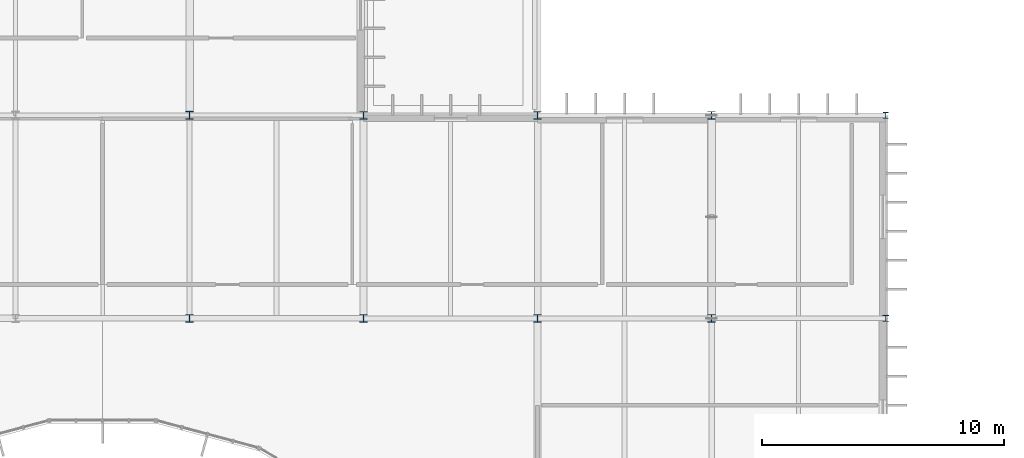
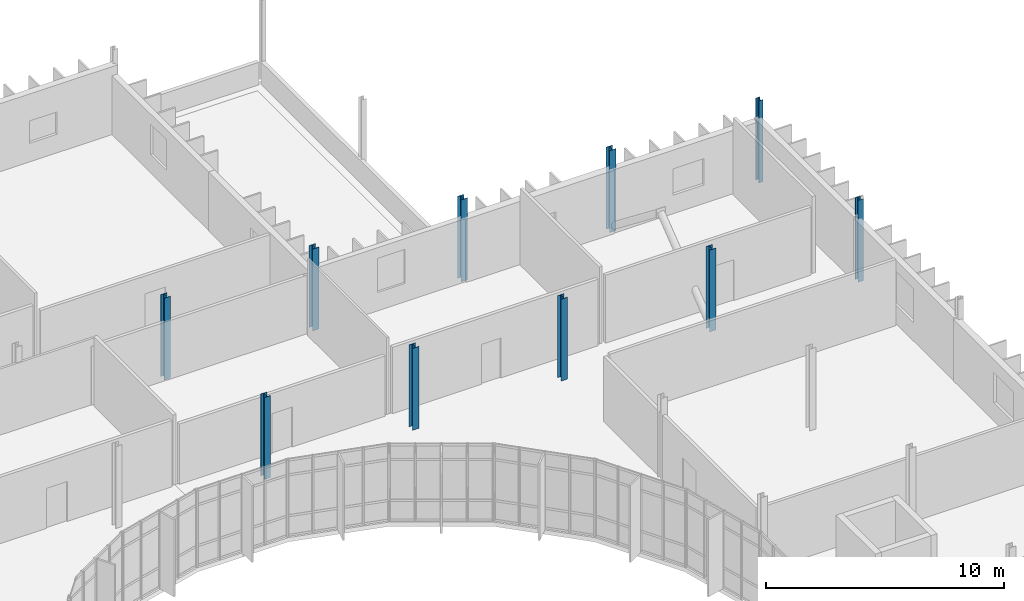
# One storey, part 24 of 119: 10 columns.
"""IFC4 building model written with IfcOpenShell, lengths in metres."""

from ifc_helpers import new_model, si_unit, direction, frame, origin, origin_2d, place, context, subcontext, project, spatial, i_section, extrude, material, material_profile, profile_set, type_object, element, save


model = new_model("IFC4")

# Units and contexts
model_context = context("Model", 3, precision=1e-05, world=origin(), true_north=direction((0.0, 1.0)))
body_context = subcontext(model_context, "Body", "Model", "MODEL_VIEW")
ifc_project = project(units=[si_unit("LENGTHUNIT", "METRE"), si_unit("AREAUNIT", "SQUARE_METRE"), si_unit("VOLUMEUNIT", "CUBIC_METRE"), si_unit("PLANEANGLEUNIT", "RADIAN"), si_unit("MASSUNIT", "GRAM", prefix="KILO")], contexts=[model_context])

# Site, building, storey
site_placement = place(None, origin())
site = spatial("IfcSite", under=ifc_project, at=site_placement, CompositionType="ELEMENT")
building_placement = place(site_placement, origin())
building = spatial("IfcBuilding", under=site, at=building_placement, Name="Qelthora Terrace Specialist Clinic", CompositionType="ELEMENT")
storey_placement = place(building_placement, frame((0.0, 0.0, 4.800048828125)))
storey = spatial("IfcBuildingStorey", under=building, at=storey_placement, Name="L01", CompositionType="ELEMENT", Elevation=4.800048828125)

# Columns
ifc_material = material(Name="Steel S355", Category="steel")
ifc_material_profile_1 = material_profile(ifc_material, i_section(OverallWidth=0.2041015625, OverallDepth=0.257080078125, WebThickness=0.0087890625, FlangeThickness=0.015625, FilletRadius=0.012939453125, at=origin_2d()), Name="W250X67")
ifc_profile_set_1 = profile_set([ifc_material_profile_1], Name="Steel S355")
column_type_1 = type_object("IfcColumnType", Name="COL-W250X67", PredefinedType="COLUMN", material=ifc_profile_set_1)
column_1_placement = place(storey_placement, frame((158.39990234375, 92.39990234375, 0.0), z_axis=(0.0, 0.0, 1.0), x_axis=(1.0, 0.0, 0.0)))
element("IfcColumn", 1, at=column_1_placement, inside=storey, type_object=column_type_1, Name="Column L01-259", PredefinedType="COLUMN", context=body_context, shape_type="SweptSolid", body=[
    extrude(i_section(OverallWidth=0.2041015625, OverallDepth=0.257080078125, WebThickness=0.0087890625, FlangeThickness=0.015625, FilletRadius=0.012939453125, at=origin_2d()), origin(), (0.0, 0.0, 1.0), 4.199951171875),
])
ifc_material_profile_2 = material_profile(ifc_material, i_section(OverallWidth=0.25390625, OverallDepth=0.2529296875, WebThickness=0.008544921875, FlangeThickness=0.01416015625, FilletRadius=0.012939453125, at=origin_2d()), Name="W250X73")
ifc_profile_set_2 = profile_set([ifc_material_profile_2], Name="Steel S355")
column_type_2 = type_object("IfcColumnType", Name="COL-W250X73", PredefinedType="COLUMN", material=ifc_profile_set_2)
column_2_placement = place(storey_placement, frame((158.39990234375, 84.0, 0.0), z_axis=(0.0, 0.0, 1.0), x_axis=(1.0, 0.0, 0.0)))
element("IfcColumn", 2, at=column_2_placement, inside=storey, type_object=column_type_2, Name="Column L01-258", PredefinedType="COLUMN", context=body_context, shape_type="SweptSolid", body=[
    extrude(i_section(OverallWidth=0.25390625, OverallDepth=0.2529296875, WebThickness=0.008544921875, FlangeThickness=0.01416015625, FilletRadius=0.012939453125, at=origin_2d()), origin(), (0.0, 0.0, 1.0), 4.199951171875),
])
ifc_material_profile_3 = material_profile(ifc_material, i_section(OverallWidth=0.305908203125, OverallDepth=0.31103515625, WebThickness=0.010986328125, FlangeThickness=0.01708984375, FilletRadius=0.014892578125, at=origin_2d()), Name="W310X107")
ifc_profile_set_3 = profile_set([ifc_material_profile_3], Name="Steel S355")
column_type_3 = type_object("IfcColumnType", Name="COL-W310X107", PredefinedType="COLUMN", material=ifc_profile_set_3)
for number, where, z_axis, x_axis, name in (
    (3, (136.800048828125, 84.0, 0.0), (0.0, 0.0, 1.0), (1.0, 0.0, 0.0), "Column L01-220"),
    (4, (144.0, 84.0, 0.0), (0.0, 0.0, 1.0), (1.0, 0.0, 0.0), "Column L01-232"),
    (5, (151.199951171875, 92.39990234375, 0.0), (0.0, 0.0, 1.0), (1.0, 0.0, 0.0), "Column L01-247"),
):
    element("IfcColumn", number, at=place(storey_placement, frame(where, z_axis=z_axis, x_axis=x_axis)), inside=storey, type_object=column_type_3, Name=name, PredefinedType="COLUMN", context=body_context, shape_type="SweptSolid", body=[
        extrude(i_section(OverallWidth=0.305908203125, OverallDepth=0.31103515625, WebThickness=0.010986328125, FlangeThickness=0.01708984375, FilletRadius=0.014892578125, at=origin_2d()), origin(), (0.0, 0.0, 1.0), 4.199951171875),
    ])
ifc_material_profile_4 = material_profile(ifc_material, i_section(OverallWidth=0.306884765625, OverallDepth=0.31396484375, WebThickness=0.011962890625, FlangeThickness=0.018798828125, FilletRadius=0.01611328125, at=origin_2d()), Name="W310X118")
ifc_profile_set_4 = profile_set([ifc_material_profile_4], Name="Steel S355")
column_type_4 = type_object("IfcColumnType", Name="COL-W310X118", PredefinedType="COLUMN", material=ifc_profile_set_4)
for number, where, z_axis, x_axis, name in (
    (6, (129.60009765625, 92.39990234375, 0.0), (0.0, 0.0, 1.0), (1.0, 0.0, 0.0), "Column L01-213"),
    (7, (151.199951171875, 84.0, 0.0), (0.0, 0.0, 1.0), (1.0, 0.0, 0.0), "Column L01-246"),
):
    element("IfcColumn", number, at=place(storey_placement, frame(where, z_axis=z_axis, x_axis=x_axis)), inside=storey, type_object=column_type_4, Name=name, PredefinedType="COLUMN", context=body_context, shape_type="SweptSolid", body=[
        extrude(i_section(OverallWidth=0.306884765625, OverallDepth=0.31396484375, WebThickness=0.011962890625, FlangeThickness=0.018798828125, FilletRadius=0.01611328125, at=origin_2d()), origin(), (0.0, 0.0, 1.0), 4.199951171875),
    ])
ifc_material_profile_5 = material_profile(ifc_material, i_section(OverallWidth=0.304931640625, OverallDepth=0.30810546875, WebThickness=0.010009765625, FlangeThickness=0.015380859375, FilletRadius=0.014892578125, at=origin_2d()), Name="W310X97")
ifc_profile_set_5 = profile_set([ifc_material_profile_5], Name="Steel S355")
column_type_5 = type_object("IfcColumnType", Name="COL-W310X97", PredefinedType="COLUMN", material=ifc_profile_set_5)
for number, where, z_axis, x_axis, name in (
    (8, (129.60009765625, 84.0, 0.0), (0.0, 0.0, 1.0), (1.0, 0.0, 0.0), "Column L01-212"),
    (9, (136.800048828125, 92.39990234375, 0.0), (0.0, 0.0, 1.0), (1.0, 0.0, 0.0), "Column L01-221"),
    (10, (144.0, 92.39990234375, 0.0), (0.0, 0.0, 1.0), (1.0, 0.0, 0.0), "Column L01-233"),
):
    element("IfcColumn", number, at=place(storey_placement, frame(where, z_axis=z_axis, x_axis=x_axis)), inside=storey, type_object=column_type_5, Name=name, PredefinedType="COLUMN", context=body_context, shape_type="SweptSolid", body=[
        extrude(i_section(OverallWidth=0.304931640625, OverallDepth=0.30810546875, WebThickness=0.010009765625, FlangeThickness=0.015380859375, FilletRadius=0.014892578125, at=origin_2d()), origin(), (0.0, 0.0, 1.0), 4.199951171875),
    ])

save(model, "model.ifc")
